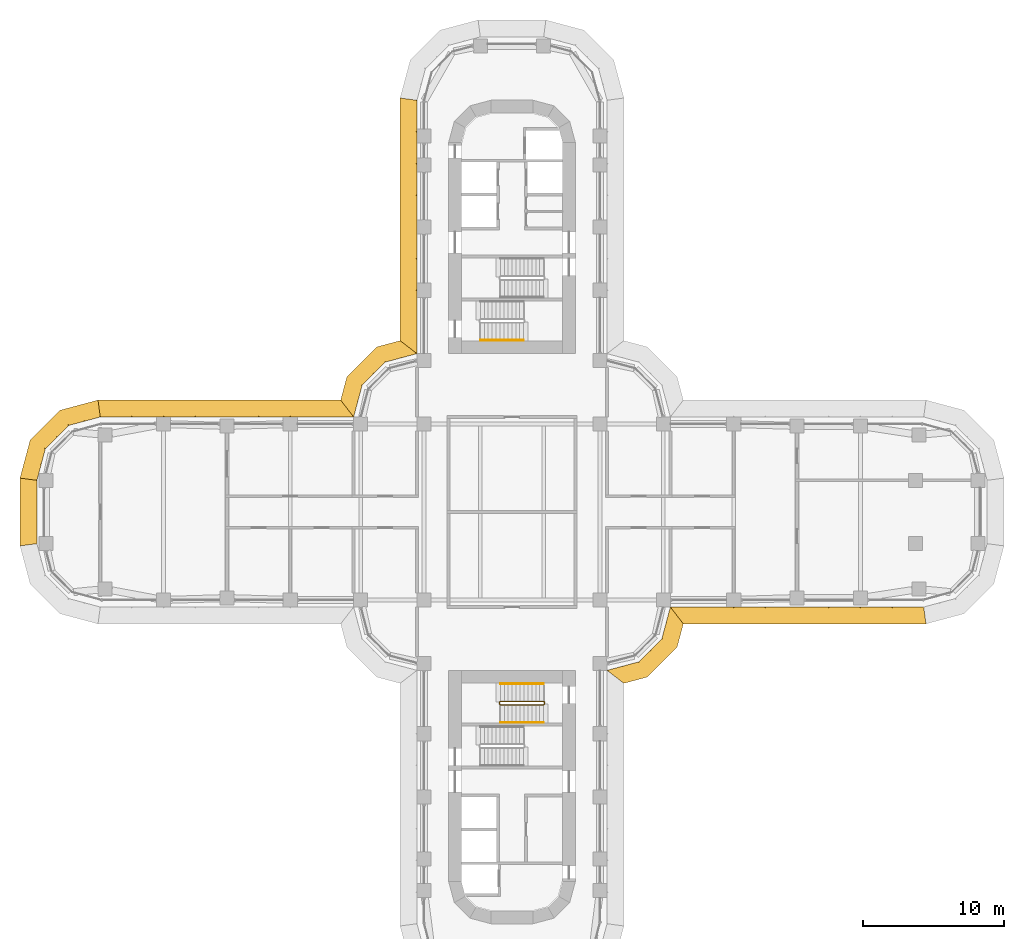
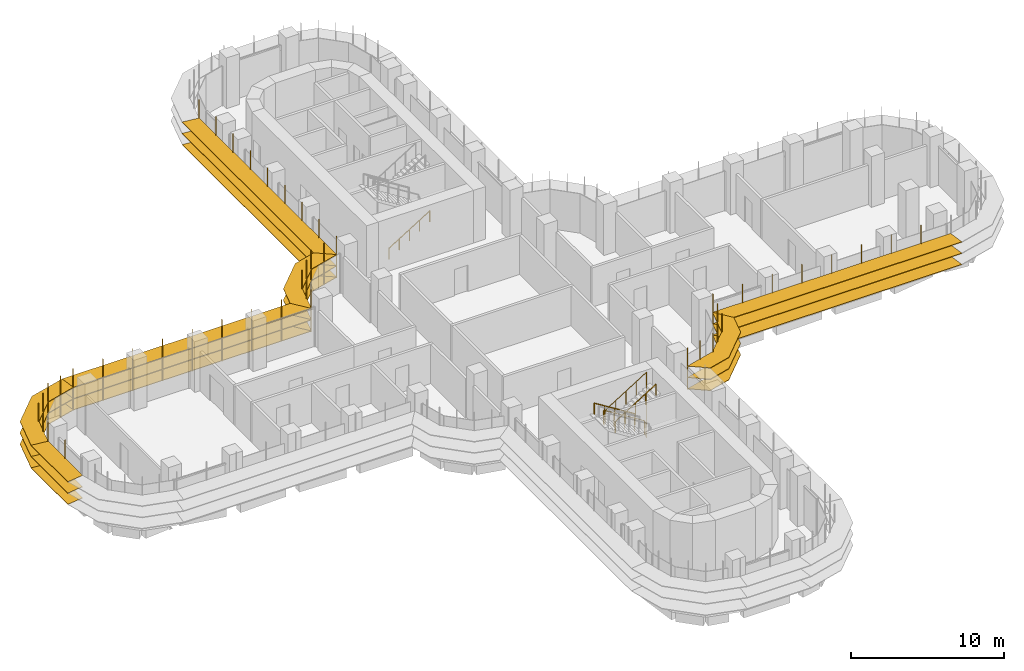
# One storey, part 21 of 23: 7 shading devices, 4 railings.
"""IFC4 building model written with IfcOpenShell, lengths in metres."""

from ifc_helpers import new_model, si_unit, direction, frame, origin, origin_2d, place, context, subcontext, project, spatial, polyline, circle, outline, extrude, faceted_brep, source, transform, mapped, material, type_object, element, save


model = new_model("IFC4")

# Units and contexts
model_context = context("Model", 3, precision=1e-05, world=origin(), true_north=direction((0.0, 1.0)))
body_context = subcontext(model_context, "Body", "Model", "MODEL_VIEW")
ifc_project = project(units=[si_unit("LENGTHUNIT", "METRE"), si_unit("AREAUNIT", "SQUARE_METRE"), si_unit("VOLUMEUNIT", "CUBIC_METRE"), si_unit("PLANEANGLEUNIT", "RADIAN"), si_unit("MASSUNIT", "GRAM", prefix="KILO")], contexts=[model_context])

# Site, building, storey
site_placement = place(None, origin())
site = spatial("IfcSite", under=ifc_project, at=site_placement, CompositionType="ELEMENT")
building_placement = place(site_placement, origin())
building = spatial("IfcBuilding", under=site, at=building_placement, Name="Zarbagh Exchange Tower", CompositionType="ELEMENT")
storey_placement = place(building_placement, frame((0.0, 0.0, 48.0)))
storey = spatial("IfcBuildingStorey", under=building, at=storey_placement, Name="L10", CompositionType="ELEMENT", Elevation=48.0)

# Railings
ifc_material_1 = material(Name="Stainless steel", Category="steel")
railing_type_1 = type_object("IfcRailingType", Name="Stair guard 1100 mm", PredefinedType="GUARDRAIL", material=ifc_material_1)
railing_1_placement = place(storey_placement, frame((-0.8798828125, -13.5, 2.10009765625)))
element("IfcRailing", 1, at=railing_1_placement, inside=storey, type_object=railing_type_1, Name="ST4 stair guard 1", PredefinedType="GUARDRAIL", context=body_context, shape_type="SweptSolid", body=[
    extrude(circle(Radius=0.02392578125, at=origin_2d()), frame((0.0, 0.0, 1.076171875), z_axis=(0.0, -1.0, 0.0), x_axis=(1.0, 0.0, 0.0)), (0.0, 0.0, 1.0), 0.14990234375),
    extrude(circle(Radius=0.02392578125, at=origin_2d()), frame((0.0, -0.14990234375, 1.076171875), z_axis=(0.264179342666, -0.265474339444, 0.927217692888), x_axis=(0.708833529934, 0.705375805398, 0.0)), (0.0, 0.0, 1.0), 0.1884765625),
    extrude(circle(Radius=0.02392578125, at=origin_2d()), frame((0.0498046875, -0.199951171875, 1.2509765625), z_axis=(0.847998304005, 0.0, 0.529998940003), x_axis=(0.0, 1.0, 0.0)), (0.0, 0.0, 1.0), 3.632080078125),
    extrude(circle(Radius=0.02392578125, at=origin_2d()), frame((3.1298828125, -0.199951171875, 3.17578125), z_axis=(0.011914834358, 0.011914834358, -0.999858026644), x_axis=(-0.707106781187, 0.707106781187, 0.0)), (0.0, 0.0, 1.0), 4.200439453125),
    extrude(circle(Radius=0.02392578125, at=origin_2d()), frame((3.179931640625, -0.14990234375, -1.02392578125), z_axis=(0.0, 1.0, 0.0), x_axis=(-1.0, 0.0, 0.0)), (0.0, 0.0, 1.0), 0.14990234375),
    extrude(circle(Radius=0.02392578125, at=origin_2d()), frame((3.179931640625, 0.0, -1.02392578125), z_axis=(-0.265065253269, 0.265065253269, 0.927081885822), x_axis=(-0.707106781187, -0.707106781187, 0.0)), (0.0, 0.0, 1.0), 0.188720703125),
    extrude(circle(Radius=0.02392578125, at=origin_2d()), frame((3.1298828125, 0.050048828125, -0.84912109375), z_axis=(-0.847998304005, 0.0, 0.529998940003), x_axis=(0.0, -1.0, 0.0)), (0.0, 0.0, 1.0), 3.632080078125),
    extrude(circle(Radius=0.02099609375, at=origin_2d()), origin(), (0.0, 0.0, 1.0), 1.052001953125),
    extrude(circle(Radius=0.02099609375, at=origin_2d()), frame((0.0, -0.14990234375, 0.0)), (0.0, 0.0, 1.0), 1.052001953125),
    extrude(circle(Radius=0.02099609375, at=origin_2d()), frame((0.0498046875, -0.199951171875, 0.1748046875)), (0.0, 0.0, 1.0), 1.052001953125),
    extrude(circle(Radius=0.02099609375, at=origin_2d()), frame((0.81982421875, -0.199951171875, 0.656005859375)), (0.0, 0.0, 1.0), 1.052001953125),
    extrude(circle(Radius=0.02099609375, at=origin_2d()), frame((1.58984375, -0.199951171875, 1.13720703125)), (0.0, 0.0, 1.0), 1.052001953125),
    extrude(circle(Radius=0.02099609375, at=origin_2d()), frame((2.35986328125, -0.199951171875, 1.61865234375)), (0.0, 0.0, 1.0), 1.052001953125),
    extrude(circle(Radius=0.02099609375, at=origin_2d()), frame((3.1298828125, -0.199951171875, 2.099853515625)), (0.0, 0.0, 1.0), 1.052001953125),
    extrude(circle(Radius=0.02099609375, at=origin_2d()), frame((3.142333984375, -0.1875, 1.0498046875)), (0.0, 0.0, 1.0), 1.052001953125),
    extrude(circle(Radius=0.02099609375, at=origin_2d()), frame((3.15478515625, -0.1748046875, 0.0)), (0.0, 0.0, 1.0), 1.052001953125),
    extrude(circle(Radius=0.02099609375, at=origin_2d()), frame((3.16748046875, -0.162353515625, -1.050048828125)), (0.0, 0.0, 1.0), 1.052001953125),
    extrude(circle(Radius=0.02099609375, at=origin_2d()), frame((3.179931640625, -0.14990234375, -2.10009765625)), (0.0, 0.0, 1.0), 1.052001953125),
    extrude(circle(Radius=0.02099609375, at=origin_2d()), frame((3.179931640625, 0.0, -2.10009765625)), (0.0, 0.0, 1.0), 1.052001953125),
    extrude(circle(Radius=0.02099609375, at=origin_2d()), frame((3.1298828125, 0.050048828125, -1.925048828125)), (0.0, 0.0, 1.0), 1.052001953125),
    extrude(circle(Radius=0.02099609375, at=origin_2d()), frame((2.35986328125, 0.050048828125, -1.44384765625)), (0.0, 0.0, 1.0), 1.052001953125),
    extrude(circle(Radius=0.02099609375, at=origin_2d()), frame((1.58984375, 0.050048828125, -0.96240234375)), (0.0, 0.0, 1.0), 1.052001953125),
    extrude(circle(Radius=0.02099609375, at=origin_2d()), frame((0.81982421875, 0.050048828125, -0.481201171875)), (0.0, 0.0, 1.0), 1.052001953125),
    extrude(circle(Radius=0.02099609375, at=origin_2d()), frame((0.0498046875, 0.050048828125, 0.0)), (0.0, 0.0, 1.0), 1.052001953125),
])
railing_type_2 = type_object("IfcRailingType", Name="Stair handrail 900 mm", PredefinedType="HANDRAIL", material=ifc_material_1)
railing_2_placement = place(storey_placement, frame((-2.25, 12.199951171875, 0.175048828125)))
element("IfcRailing", 2, at=railing_2_placement, inside=storey, type_object=railing_type_2, Name="ST2 stair handrail 1", PredefinedType="HANDRAIL", context=body_context, shape_type="SweptSolid", body=[
    extrude(circle(Radius=0.02392578125, at=origin_2d()), frame((0.0, 0.0, 0.8759765625), z_axis=(0.847998304005, 0.0, 0.529998940003), x_axis=(0.0, 1.0, 0.0)), (0.0, 0.0, 1.0), 3.632080078125),
    extrude(circle(Radius=0.02099609375, at=origin_2d()), origin(), (0.0, 0.0, 1.0), 0.851806640625),
    extrude(circle(Radius=0.02099609375, at=origin_2d()), frame((0.77001953125, 0.0, 0.481201171875)), (0.0, 0.0, 1.0), 0.851806640625),
    extrude(circle(Radius=0.02099609375, at=origin_2d()), frame((1.5400390625, 0.0, 0.96240234375)), (0.0, 0.0, 1.0), 0.851806640625),
    extrude(circle(Radius=0.02099609375, at=origin_2d()), frame((2.31005859375, 0.0, 1.44384765625)), (0.0, 0.0, 1.0), 0.851806640625),
    extrude(circle(Radius=0.02099609375, at=origin_2d()), frame((3.080078125, 0.0, 1.925048828125)), (0.0, 0.0, 1.0), 0.851806640625),
])
railing_3_placement = place(storey_placement, frame((2.25, -12.199951171875, 0.175048828125)))
element("IfcRailing", 3, at=railing_3_placement, inside=storey, type_object=railing_type_2, Name="ST4 stair handrail 1", PredefinedType="HANDRAIL", context=body_context, shape_type="SweptSolid", body=[
    extrude(circle(Radius=0.02392578125, at=origin_2d()), frame((0.0, 0.0, 0.8759765625), z_axis=(-0.847998304005, 0.0, 0.529998940003), x_axis=(0.0, -1.0, 0.0)), (0.0, 0.0, 1.0), 3.632080078125),
    extrude(circle(Radius=0.02099609375, at=origin_2d()), origin(), (0.0, 0.0, 1.0), 0.851806640625),
    extrude(circle(Radius=0.02099609375, at=origin_2d()), frame((-0.77001953125, 0.0, 0.481201171875)), (0.0, 0.0, 1.0), 0.851806640625),
    extrude(circle(Radius=0.02099609375, at=origin_2d()), frame((-1.5400390625, 0.0, 0.96240234375)), (0.0, 0.0, 1.0), 0.851806640625),
    extrude(circle(Radius=0.02099609375, at=origin_2d()), frame((-2.31005859375, 0.0, 1.44384765625)), (0.0, 0.0, 1.0), 0.851806640625),
    extrude(circle(Radius=0.02099609375, at=origin_2d()), frame((-3.080078125, 0.0, 1.925048828125)), (0.0, 0.0, 1.0), 0.851806640625),
])
railing_4_placement = place(storey_placement, frame((-0.830078125, -14.949951171875, 2.27490234375)))
element("IfcRailing", 4, at=railing_4_placement, inside=storey, type_object=railing_type_2, Name="ST4 stair handrail 2", PredefinedType="HANDRAIL", context=body_context, shape_type="SweptSolid", body=[
    extrude(circle(Radius=0.02392578125, at=origin_2d()), frame((0.0, 0.0, 0.8759765625), z_axis=(0.847998304005, 0.0, 0.529998940003), x_axis=(0.0, 1.0, 0.0)), (0.0, 0.0, 1.0), 3.632080078125),
    extrude(circle(Radius=0.02099609375, at=origin_2d()), origin(), (0.0, 0.0, 1.0), 0.851806640625),
    extrude(circle(Radius=0.02099609375, at=origin_2d()), frame((0.77001953125, 0.0, 0.481201171875)), (0.0, 0.0, 1.0), 0.851806640625),
    extrude(circle(Radius=0.02099609375, at=origin_2d()), frame((1.5400390625, 0.0, 0.96240234375)), (0.0, 0.0, 1.0), 0.851806640625),
    extrude(circle(Radius=0.02099609375, at=origin_2d()), frame((2.31005859375, 0.0, 1.44384765625)), (0.0, 0.0, 1.0), 0.851806640625),
    extrude(circle(Radius=0.02099609375, at=origin_2d()), frame((3.080078125, 0.0, 1.925048828125)), (0.0, 0.0, 1.0), 0.851806640625),
])

# Shading devices
ifc_material_2 = material(Name="Anodised aluminium blades and brackets", Category="aluminium")
shading_device_type = type_object("IfcShadingDeviceType", Name="SUNSHADE louvre band, 0 degree blades", PredefinedType="JALOUSIE", material=ifc_material_2)
shared_shape_1 = source(origin(), body_context, "Body", "Brep", [
    faceted_brep([(0.0, 0.0, 0.0), (0.0, 0.0, -0.0400390625), (-0.157958984375, -1.199951171875, -0.0400390625), (-0.157958984375, -1.199951171875, 0.0), (2.65087890625, -1.199951171875, 0.0), (2.65087890625, -1.199951171875, -0.0400390625), (2.329345703125, 0.0, -0.0400390625), (2.329345703125, 0.0, 0.0)], [[[0, 1, 2, 3]], [[4, 5, 6, 7]], [[0, 7, 6, 1]], [[1, 6, 5, 2]], [[2, 5, 4, 3]], [[3, 4, 7, 0]]]),
])
shared_shape_2 = source(origin(), body_context, "Body", "Brep", [
    faceted_brep([(0.0, 0.0, 0.0), (0.0, 0.0, -0.0400390625), (-0.321533203125, -1.199951171875, -0.0400390625), (-0.321533203125, -1.199951171875, 0.0), (2.65087890625, -1.199951171875, 0.0), (2.65087890625, -1.199951171875, -0.0400390625), (2.329345703125, 0.0, -0.0400390625), (2.329345703125, 0.0, 0.0)], [[[0, 1, 2, 3]], [[4, 5, 6, 7]], [[0, 7, 6, 1]], [[1, 6, 5, 2]], [[2, 5, 4, 3]], [[3, 4, 7, 0]]]),
])
shared_shape_3 = source(origin(), body_context, "Body", "Brep", [
    faceted_brep([(0.0, 0.0, 0.0), (0.0, 0.0, -0.0400390625), (-0.321533203125, -1.199951171875, -0.0400390625), (-0.321533203125, -1.199951171875, 0.0), (2.4873046875, -1.199951171875, 0.0), (2.4873046875, -1.199951171875, -0.0400390625), (2.329345703125, 0.0, -0.0400390625), (2.329345703125, 0.0, 0.0)], [[[0, 1, 2, 3]], [[4, 5, 6, 7]], [[0, 7, 6, 1]], [[1, 6, 5, 2]], [[2, 5, 4, 3]], [[3, 4, 7, 0]]]),
])
shared_shape_4 = source(origin(), body_context, "Body", "SweptSolid", [
    extrude(outline(polyline([(0.0, -0.012451171875), (0.06005859375, -0.012451171875), (0.06005859375, 0.012451171875), (0.0, 0.012451171875), (0.0, -0.012451171875)])), origin(), (0.0, 0.0, 1.0), 3.35009765625),
])
placement = place(storey_placement, origin())
element("IfcShadingDevice", 5, at=placement, inside=storey, type_object=shading_device_type, Name="SS17 sunshade band", PredefinedType="JALOUSIE", context=body_context, shape_type="MappedRepresentation", body=[
    mapped(shared_shape_1, transform((-29.25, 6.75, 2.699951171875), x_axis=(-0.965924289636, -0.258824779902, 0.0), y_axis=(0.258824779902, -0.965924289636, 0.0), z_axis=(0.0, 0.0, 1.0))),
    mapped(shared_shape_1, transform((-29.25, 6.75, 1.800048828125), x_axis=(-0.965924289636, -0.258824779902, 0.0), y_axis=(0.258824779902, -0.965924289636, 0.0), z_axis=(0.0, 0.0, 1.0))),
    mapped(shared_shape_1, transform((-29.25, 6.75, 0.89990234375), x_axis=(-0.965924289636, -0.258824779902, 0.0), y_axis=(0.258824779902, -0.965924289636, 0.0), z_axis=(0.0, 0.0, 1.0))),
    mapped(shared_shape_2, transform((-31.5, 6.147216796875, 2.699951171875), x_axis=(-0.707106781187, -0.707106781187, 0.0), y_axis=(0.707106781187, -0.707106781187, 0.0), z_axis=(0.0, 0.0, 1.0))),
    mapped(shared_shape_2, transform((-31.5, 6.147216796875, 1.800048828125), x_axis=(-0.707106781187, -0.707106781187, 0.0), y_axis=(0.707106781187, -0.707106781187, 0.0), z_axis=(0.0, 0.0, 1.0))),
    mapped(shared_shape_2, transform((-31.5, 6.147216796875, 0.89990234375), x_axis=(-0.707106781187, -0.707106781187, 0.0), y_axis=(0.707106781187, -0.707106781187, 0.0), z_axis=(0.0, 0.0, 1.0))),
    mapped(shared_shape_3, transform((-33.147216796875, 4.5, 2.699951171875), x_axis=(-0.258824779902, -0.965924289636, 0.0), y_axis=(0.965924289636, -0.258824779902, 0.0), z_axis=(0.0, 0.0, 1.0))),
    mapped(shared_shape_3, transform((-33.147216796875, 4.5, 1.800048828125), x_axis=(-0.258824779902, -0.965924289636, 0.0), y_axis=(0.965924289636, -0.258824779902, 0.0), z_axis=(0.0, 0.0, 1.0))),
    mapped(shared_shape_3, transform((-33.147216796875, 4.5, 0.89990234375), x_axis=(-0.258824779902, -0.965924289636, 0.0), y_axis=(0.965924289636, -0.258824779902, 0.0), z_axis=(0.0, 0.0, 1.0))),
    mapped(shared_shape_4, transform((-29.25, 6.75, 0.830078125), x_axis=(-0.130529263012, 0.991444457092, 0.0), y_axis=(-0.991444457092, -0.130529263012, 0.0), z_axis=(0.0, 0.0, 1.0))),
    mapped(shared_shape_4, transform((-30.375, 6.448486328125, 0.830078125), x_axis=(-0.258825058029, 0.96592421511, 0.0), y_axis=(-0.96592421511, -0.258825058029, 0.0), z_axis=(0.0, 0.0, 1.0))),
    mapped(shared_shape_4, transform((-31.5, 6.147216796875, 0.830078125), x_axis=(-0.50000275701, 0.866023812018, 0.0), y_axis=(-0.866023812018, -0.50000275701, 0.0), z_axis=(0.0, 0.0, 1.0))),
    mapped(shared_shape_4, transform((-32.323486328125, 5.323486328125, 0.830078125), x_axis=(-0.707106781187, 0.707106781187, 0.0), y_axis=(-0.707106781187, -0.707106781187, 0.0), z_axis=(0.0, 0.0, 1.0))),
    mapped(shared_shape_4, transform((-33.147216796875, 4.5, 0.830078125), x_axis=(-0.866023812018, 0.50000275701, 0.0), y_axis=(-0.50000275701, -0.866023812018, 0.0), z_axis=(0.0, 0.0, 1.0))),
    mapped(shared_shape_4, transform((-33.448486328125, 3.375, 0.830078125), x_axis=(-0.96592421511, 0.258825058029, 0.0), y_axis=(-0.258825058029, -0.96592421511, 0.0), z_axis=(0.0, 0.0, 1.0))),
])
shared_shape_5 = source(origin(), body_context, "Body", "Brep", [
    faceted_brep([(0.0, 0.0, 0.0), (0.0, 0.0, -0.0400390625), (0.9208984375, -1.199951171875, -0.0400390625), (0.9208984375, -1.199951171875, 0.0), (2.65087890625, -1.199951171875, 0.0), (2.65087890625, -1.199951171875, -0.0400390625), (2.329345703125, 0.0, -0.0400390625), (2.329345703125, 0.0, 0.0)], [[[0, 1, 2, 3]], [[4, 5, 6, 7]], [[0, 7, 6, 1]], [[1, 6, 5, 2]], [[2, 5, 4, 3]], [[3, 4, 7, 0]]]),
])
shared_shape_6 = source(origin(), body_context, "Body", "Brep", [
    faceted_brep([(0.0, 0.0, 0.0), (0.0, 0.0, -0.0400390625), (-0.321533203125, -1.199951171875, -0.0400390625), (-0.321533203125, -1.199951171875, 0.0), (1.40869140625, -1.199951171875, 0.0), (1.40869140625, -1.199951171875, -0.0400390625), (2.329345703125, 0.0, -0.0400390625), (2.329345703125, 0.0, 0.0)], [[[0, 1, 2, 3]], [[4, 5, 6, 7]], [[0, 7, 6, 1]], [[1, 6, 5, 2]], [[2, 5, 4, 3]], [[3, 4, 7, 0]]]),
])
element("IfcShadingDevice", 6, at=placement, inside=storey, type_object=shading_device_type, Name="SS03 sunshade band", PredefinedType="JALOUSIE", context=body_context, shape_type="MappedRepresentation", body=[
    mapped(shared_shape_5, transform((6.75, -11.25, 2.699951171875), x_axis=(0.965924289636, 0.258824779902, 0.0), y_axis=(-0.258824779902, 0.965924289636, 0.0), z_axis=(0.0, 0.0, 1.0))),
    mapped(shared_shape_5, transform((6.75, -11.25, 1.800048828125), x_axis=(0.965924289636, 0.258824779902, 0.0), y_axis=(-0.258824779902, 0.965924289636, 0.0), z_axis=(0.0, 0.0, 1.0))),
    mapped(shared_shape_5, transform((6.75, -11.25, 0.89990234375), x_axis=(0.965924289636, 0.258824779902, 0.0), y_axis=(-0.258824779902, 0.965924289636, 0.0), z_axis=(0.0, 0.0, 1.0))),
    mapped(shared_shape_2, transform((9.0, -10.647216796875, 2.699951171875), x_axis=(0.707106781187, 0.707106781187, 0.0), y_axis=(-0.707106781187, 0.707106781187, 0.0), z_axis=(0.0, 0.0, 1.0))),
    mapped(shared_shape_2, transform((9.0, -10.647216796875, 1.800048828125), x_axis=(0.707106781187, 0.707106781187, 0.0), y_axis=(-0.707106781187, 0.707106781187, 0.0), z_axis=(0.0, 0.0, 1.0))),
    mapped(shared_shape_2, transform((9.0, -10.647216796875, 0.89990234375), x_axis=(0.707106781187, 0.707106781187, 0.0), y_axis=(-0.707106781187, 0.707106781187, 0.0), z_axis=(0.0, 0.0, 1.0))),
    mapped(shared_shape_6, transform((10.647216796875, -9.0, 2.699951171875), x_axis=(0.258824779902, 0.965924289636, 0.0), y_axis=(-0.965924289636, 0.258824779902, 0.0), z_axis=(0.0, 0.0, 1.0))),
    mapped(shared_shape_6, transform((10.647216796875, -9.0, 1.800048828125), x_axis=(0.258824779902, 0.965924289636, 0.0), y_axis=(-0.965924289636, 0.258824779902, 0.0), z_axis=(0.0, 0.0, 1.0))),
    mapped(shared_shape_6, transform((10.647216796875, -9.0, 0.89990234375), x_axis=(0.258824779902, 0.965924289636, 0.0), y_axis=(-0.965924289636, 0.258824779902, 0.0), z_axis=(0.0, 0.0, 1.0))),
    mapped(shared_shape_4, transform((6.75, -11.25, 0.830078125), x_axis=(0.793355287, -0.608758892, 0.0), y_axis=(0.608758892, 0.793355287, 0.0), z_axis=(0.0, 0.0, 1.0))),
    mapped(shared_shape_4, transform((7.875, -10.948486328125, 0.830078125), x_axis=(0.258825058029, -0.96592421511, 0.0), y_axis=(0.96592421511, 0.258825058029, 0.0), z_axis=(0.0, 0.0, 1.0))),
    mapped(shared_shape_4, transform((9.0, -10.647216796875, 0.830078125), x_axis=(0.50000275701, -0.866023812018, 0.0), y_axis=(0.866023812018, 0.50000275701, 0.0), z_axis=(0.0, 0.0, 1.0))),
    mapped(shared_shape_4, transform((9.823486328125, -9.823486328125, 0.830078125), x_axis=(0.707106781187, -0.707106781187, 0.0), y_axis=(0.707106781187, 0.707106781187, 0.0), z_axis=(0.0, 0.0, 1.0))),
    mapped(shared_shape_4, transform((10.647216796875, -9.0, 0.830078125), x_axis=(0.866023812018, -0.50000275701, 0.0), y_axis=(0.50000275701, 0.866023812018, 0.0), z_axis=(0.0, 0.0, 1.0))),
    mapped(shared_shape_4, transform((10.948486328125, -7.875, 0.830078125), x_axis=(0.96592421511, -0.258825058029, 0.0), y_axis=(0.258825058029, 0.96592421511, 0.0), z_axis=(0.0, 0.0, 1.0))),
])
element("IfcShadingDevice", 7, at=placement, inside=storey, type_object=shading_device_type, Name="SS15 sunshade band", PredefinedType="JALOUSIE", context=body_context, shape_type="MappedRepresentation", body=[
    mapped(shared_shape_5, transform((-6.75, 11.25, 2.699951171875), x_axis=(-0.965924289636, -0.258824779902, 0.0), y_axis=(0.258824779902, -0.965924289636, 0.0), z_axis=(0.0, 0.0, 1.0))),
    mapped(shared_shape_5, transform((-6.75, 11.25, 1.800048828125), x_axis=(-0.965924289636, -0.258824779902, 0.0), y_axis=(0.258824779902, -0.965924289636, 0.0), z_axis=(0.0, 0.0, 1.0))),
    mapped(shared_shape_5, transform((-6.75, 11.25, 0.89990234375), x_axis=(-0.965924289636, -0.258824779902, 0.0), y_axis=(0.258824779902, -0.965924289636, 0.0), z_axis=(0.0, 0.0, 1.0))),
    mapped(shared_shape_2, transform((-9.0, 10.647216796875, 2.699951171875), x_axis=(-0.707106781187, -0.707106781187, 0.0), y_axis=(0.707106781187, -0.707106781187, 0.0), z_axis=(0.0, 0.0, 1.0))),
    mapped(shared_shape_2, transform((-9.0, 10.647216796875, 1.800048828125), x_axis=(-0.707106781187, -0.707106781187, 0.0), y_axis=(0.707106781187, -0.707106781187, 0.0), z_axis=(0.0, 0.0, 1.0))),
    mapped(shared_shape_2, transform((-9.0, 10.647216796875, 0.89990234375), x_axis=(-0.707106781187, -0.707106781187, 0.0), y_axis=(0.707106781187, -0.707106781187, 0.0), z_axis=(0.0, 0.0, 1.0))),
    mapped(shared_shape_6, transform((-10.647216796875, 9.0, 2.699951171875), x_axis=(-0.258824779902, -0.965924289636, 0.0), y_axis=(0.965924289636, -0.258824779902, 0.0), z_axis=(0.0, 0.0, 1.0))),
    mapped(shared_shape_6, transform((-10.647216796875, 9.0, 1.800048828125), x_axis=(-0.258824779902, -0.965924289636, 0.0), y_axis=(0.965924289636, -0.258824779902, 0.0), z_axis=(0.0, 0.0, 1.0))),
    mapped(shared_shape_6, transform((-10.647216796875, 9.0, 0.89990234375), x_axis=(-0.258824779902, -0.965924289636, 0.0), y_axis=(0.965924289636, -0.258824779902, 0.0), z_axis=(0.0, 0.0, 1.0))),
    mapped(shared_shape_4, transform((-6.75, 11.25, 0.830078125), x_axis=(-0.793355287, 0.608758892, 0.0), y_axis=(-0.608758892, -0.793355287, 0.0), z_axis=(0.0, 0.0, 1.0))),
    mapped(shared_shape_4, transform((-7.875, 10.948486328125, 0.830078125), x_axis=(-0.258825058029, 0.96592421511, 0.0), y_axis=(-0.96592421511, -0.258825058029, 0.0), z_axis=(0.0, 0.0, 1.0))),
    mapped(shared_shape_4, transform((-9.0, 10.647216796875, 0.830078125), x_axis=(-0.50000275701, 0.866023812018, 0.0), y_axis=(-0.866023812018, -0.50000275701, 0.0), z_axis=(0.0, 0.0, 1.0))),
    mapped(shared_shape_4, transform((-9.823486328125, 9.823486328125, 0.830078125), x_axis=(-0.707106781187, 0.707106781187, 0.0), y_axis=(-0.707106781187, -0.707106781187, 0.0), z_axis=(0.0, 0.0, 1.0))),
    mapped(shared_shape_4, transform((-10.647216796875, 9.0, 0.830078125), x_axis=(-0.866023812018, 0.50000275701, 0.0), y_axis=(-0.50000275701, -0.866023812018, 0.0), z_axis=(0.0, 0.0, 1.0))),
    mapped(shared_shape_4, transform((-10.948486328125, 7.875, 0.830078125), x_axis=(-0.96592421511, 0.258825058029, 0.0), y_axis=(-0.258825058029, -0.96592421511, 0.0), z_axis=(0.0, 0.0, 1.0))),
])
shared_shape_7 = source(origin(), body_context, "Body", "Brep", [
    faceted_brep([(0.0, 0.0, 0.0), (0.0, 0.0, -0.0400390625), (0.9208984375, -1.199951171875, -0.0400390625), (0.9208984375, -1.199951171875, 0.0), (18.157958984375, -1.199951171875, 0.0), (18.157958984375, -1.199951171875, -0.0400390625), (18.0, 0.0, -0.0400390625), (18.0, 0.0, 0.0)], [[[0, 1, 2, 3]], [[4, 5, 6, 7]], [[0, 7, 6, 1]], [[1, 6, 5, 2]], [[2, 5, 4, 3]], [[3, 4, 7, 0]]]),
])
element("IfcShadingDevice", 8, at=placement, inside=storey, type_object=shading_device_type, Name="SS04 sunshade band", PredefinedType="JALOUSIE", context=body_context, shape_type="MappedRepresentation", body=[
    mapped(shared_shape_7, transform((11.25, -6.75, 2.699951171875), x_axis=(1.0, 0.0, 0.0), y_axis=(0.0, 1.0, 0.0), z_axis=(0.0, 0.0, 1.0))),
    mapped(shared_shape_7, transform((11.25, -6.75, 1.800048828125), x_axis=(1.0, 0.0, 0.0), y_axis=(0.0, 1.0, 0.0), z_axis=(0.0, 0.0, 1.0))),
    mapped(shared_shape_7, transform((11.25, -6.75, 0.89990234375), x_axis=(1.0, 0.0, 0.0), y_axis=(0.0, 1.0, 0.0), z_axis=(0.0, 0.0, 1.0))),
    mapped(shared_shape_4, transform((11.25, -6.75, 0.830078125), x_axis=(0.608758892, -0.793355287, 0.0), y_axis=(0.793355287, 0.608758892, 0.0), z_axis=(0.0, 0.0, 1.0))),
    mapped(shared_shape_4, transform((13.5, -6.75, 0.830078125), x_axis=(0.0, -1.0, 0.0), y_axis=(1.0, 0.0, 0.0), z_axis=(0.0, 0.0, 1.0))),
    mapped(shared_shape_4, transform((15.75, -6.75, 0.830078125), x_axis=(0.0, -1.0, 0.0), y_axis=(1.0, 0.0, 0.0), z_axis=(0.0, 0.0, 1.0))),
    mapped(shared_shape_4, transform((18.0, -6.75, 0.830078125), x_axis=(0.0, -1.0, 0.0), y_axis=(1.0, 0.0, 0.0), z_axis=(0.0, 0.0, 1.0))),
    mapped(shared_shape_4, transform((20.25, -6.75, 0.830078125), x_axis=(0.0, -1.0, 0.0), y_axis=(1.0, 0.0, 0.0), z_axis=(0.0, 0.0, 1.0))),
    mapped(shared_shape_4, transform((22.5, -6.75, 0.830078125), x_axis=(0.0, -1.0, 0.0), y_axis=(1.0, 0.0, 0.0), z_axis=(0.0, 0.0, 1.0))),
    mapped(shared_shape_4, transform((24.75, -6.75, 0.830078125), x_axis=(0.0, -1.0, 0.0), y_axis=(1.0, 0.0, 0.0), z_axis=(0.0, 0.0, 1.0))),
    mapped(shared_shape_4, transform((27.0, -6.75, 0.830078125), x_axis=(0.0, -1.0, 0.0), y_axis=(1.0, 0.0, 0.0), z_axis=(0.0, 0.0, 1.0))),
])
shared_shape_8 = source(origin(), body_context, "Body", "Brep", [
    faceted_brep([(0.0, 0.0, 0.0), (0.0, 0.0, -0.0400390625), (-0.157958984375, -1.199951171875, -0.0400390625), (-0.157958984375, -1.199951171875, 0.0), (17.0791015625, -1.199951171875, 0.0), (17.0791015625, -1.199951171875, -0.0400390625), (18.0, 0.0, -0.0400390625), (18.0, 0.0, 0.0)], [[[0, 1, 2, 3]], [[4, 5, 6, 7]], [[0, 7, 6, 1]], [[1, 6, 5, 2]], [[2, 5, 4, 3]], [[3, 4, 7, 0]]]),
])
element("IfcShadingDevice", 9, at=placement, inside=storey, type_object=shading_device_type, Name="SS14 sunshade band", PredefinedType="JALOUSIE", context=body_context, shape_type="MappedRepresentation", body=[
    mapped(shared_shape_8, transform((-6.75, 29.25, 2.699951171875), x_axis=(0.0, -1.0, 0.0), y_axis=(1.0, 0.0, 0.0), z_axis=(0.0, 0.0, 1.0))),
    mapped(shared_shape_8, transform((-6.75, 29.25, 1.800048828125), x_axis=(0.0, -1.0, 0.0), y_axis=(1.0, 0.0, 0.0), z_axis=(0.0, 0.0, 1.0))),
    mapped(shared_shape_8, transform((-6.75, 29.25, 0.89990234375), x_axis=(0.0, -1.0, 0.0), y_axis=(1.0, 0.0, 0.0), z_axis=(0.0, 0.0, 1.0))),
    mapped(shared_shape_4, transform((-6.75, 29.25, 0.830078125), x_axis=(-0.991444457092, 0.130529263012, 0.0), y_axis=(-0.130529263012, -0.991444457092, 0.0), z_axis=(0.0, 0.0, 1.0))),
    mapped(shared_shape_4, transform((-6.75, 27.0, 0.830078125), x_axis=(-1.0, 0.0, 0.0), y_axis=(0.0, -1.0, 0.0), z_axis=(0.0, 0.0, 1.0))),
    mapped(shared_shape_4, transform((-6.75, 24.75, 0.830078125), x_axis=(-1.0, 0.0, 0.0), y_axis=(0.0, -1.0, 0.0), z_axis=(0.0, 0.0, 1.0))),
    mapped(shared_shape_4, transform((-6.75, 22.5, 0.830078125), x_axis=(-1.0, 0.0, 0.0), y_axis=(0.0, -1.0, 0.0), z_axis=(0.0, 0.0, 1.0))),
    mapped(shared_shape_4, transform((-6.75, 20.25, 0.830078125), x_axis=(-1.0, 0.0, 0.0), y_axis=(0.0, -1.0, 0.0), z_axis=(0.0, 0.0, 1.0))),
    mapped(shared_shape_4, transform((-6.75, 18.0, 0.830078125), x_axis=(-1.0, 0.0, 0.0), y_axis=(0.0, -1.0, 0.0), z_axis=(0.0, 0.0, 1.0))),
    mapped(shared_shape_4, transform((-6.75, 15.75, 0.830078125), x_axis=(-1.0, 0.0, 0.0), y_axis=(0.0, -1.0, 0.0), z_axis=(0.0, 0.0, 1.0))),
    mapped(shared_shape_4, transform((-6.75, 13.5, 0.830078125), x_axis=(-1.0, 0.0, 0.0), y_axis=(0.0, -1.0, 0.0), z_axis=(0.0, 0.0, 1.0))),
])
element("IfcShadingDevice", 10, at=placement, inside=storey, type_object=shading_device_type, Name="SS16 sunshade band", PredefinedType="JALOUSIE", context=body_context, shape_type="MappedRepresentation", body=[
    mapped(shared_shape_7, transform((-11.25, 6.75, 2.699951171875), x_axis=(-1.0, 0.0, 0.0), y_axis=(0.0, -1.0, 0.0), z_axis=(0.0, 0.0, 1.0))),
    mapped(shared_shape_7, transform((-11.25, 6.75, 1.800048828125), x_axis=(-1.0, 0.0, 0.0), y_axis=(0.0, -1.0, 0.0), z_axis=(0.0, 0.0, 1.0))),
    mapped(shared_shape_7, transform((-11.25, 6.75, 0.89990234375), x_axis=(-1.0, 0.0, 0.0), y_axis=(0.0, -1.0, 0.0), z_axis=(0.0, 0.0, 1.0))),
    mapped(shared_shape_4, transform((-11.25, 6.75, 0.830078125), x_axis=(-0.608758892, 0.793355287, 0.0), y_axis=(-0.793355287, -0.608758892, 0.0), z_axis=(0.0, 0.0, 1.0))),
    mapped(shared_shape_4, transform((-13.5, 6.75, 0.830078125), x_axis=(0.0, 1.0, 0.0), y_axis=(-1.0, 0.0, 0.0), z_axis=(0.0, 0.0, 1.0))),
    mapped(shared_shape_4, transform((-15.75, 6.75, 0.830078125), x_axis=(0.0, 1.0, 0.0), y_axis=(-1.0, 0.0, 0.0), z_axis=(0.0, 0.0, 1.0))),
    mapped(shared_shape_4, transform((-18.0, 6.75, 0.830078125), x_axis=(0.0, 1.0, 0.0), y_axis=(-1.0, 0.0, 0.0), z_axis=(0.0, 0.0, 1.0))),
    mapped(shared_shape_4, transform((-20.25, 6.75, 0.830078125), x_axis=(0.0, 1.0, 0.0), y_axis=(-1.0, 0.0, 0.0), z_axis=(0.0, 0.0, 1.0))),
    mapped(shared_shape_4, transform((-22.5, 6.75, 0.830078125), x_axis=(0.0, 1.0, 0.0), y_axis=(-1.0, 0.0, 0.0), z_axis=(0.0, 0.0, 1.0))),
    mapped(shared_shape_4, transform((-24.75, 6.75, 0.830078125), x_axis=(0.0, 1.0, 0.0), y_axis=(-1.0, 0.0, 0.0), z_axis=(0.0, 0.0, 1.0))),
    mapped(shared_shape_4, transform((-27.0, 6.75, 0.830078125), x_axis=(0.0, 1.0, 0.0), y_axis=(-1.0, 0.0, 0.0), z_axis=(0.0, 0.0, 1.0))),
])
shared_shape_9 = source(origin(), body_context, "Body", "Brep", [
    faceted_brep([(0.0, 0.0, 0.0), (0.0, 0.0, -0.0400390625), (-0.157958984375, -1.199951171875, -0.0400390625), (-0.157958984375, -1.199951171875, 0.0), (4.657958984375, -1.199951171875, 0.0), (4.657958984375, -1.199951171875, -0.0400390625), (4.5, 0.0, -0.0400390625), (4.5, 0.0, 0.0)], [[[0, 1, 2, 3]], [[4, 5, 6, 7]], [[0, 7, 6, 1]], [[1, 6, 5, 2]], [[2, 5, 4, 3]], [[3, 4, 7, 0]]]),
])
element("IfcShadingDevice", 11, at=placement, inside=storey, type_object=shading_device_type, Name="SS18 sunshade band", PredefinedType="JALOUSIE", context=body_context, shape_type="MappedRepresentation", body=[
    mapped(shared_shape_9, transform((-33.75, 2.25, 2.699951171875), x_axis=(0.0, -1.0, 0.0), y_axis=(1.0, 0.0, 0.0), z_axis=(0.0, 0.0, 1.0))),
    mapped(shared_shape_9, transform((-33.75, 2.25, 1.800048828125), x_axis=(0.0, -1.0, 0.0), y_axis=(1.0, 0.0, 0.0), z_axis=(0.0, 0.0, 1.0))),
    mapped(shared_shape_9, transform((-33.75, 2.25, 0.89990234375), x_axis=(0.0, -1.0, 0.0), y_axis=(1.0, 0.0, 0.0), z_axis=(0.0, 0.0, 1.0))),
    mapped(shared_shape_4, transform((-33.75, 2.25, 0.830078125), x_axis=(-0.991444457092, 0.130529263012, 0.0), y_axis=(-0.130529263012, -0.991444457092, 0.0), z_axis=(0.0, 0.0, 1.0))),
    mapped(shared_shape_4, transform((-33.75, 0.0, 0.830078125), x_axis=(-1.0, 0.0, 0.0), y_axis=(0.0, -1.0, 0.0), z_axis=(0.0, 0.0, 1.0))),
])

save(model, "model.ifc")
